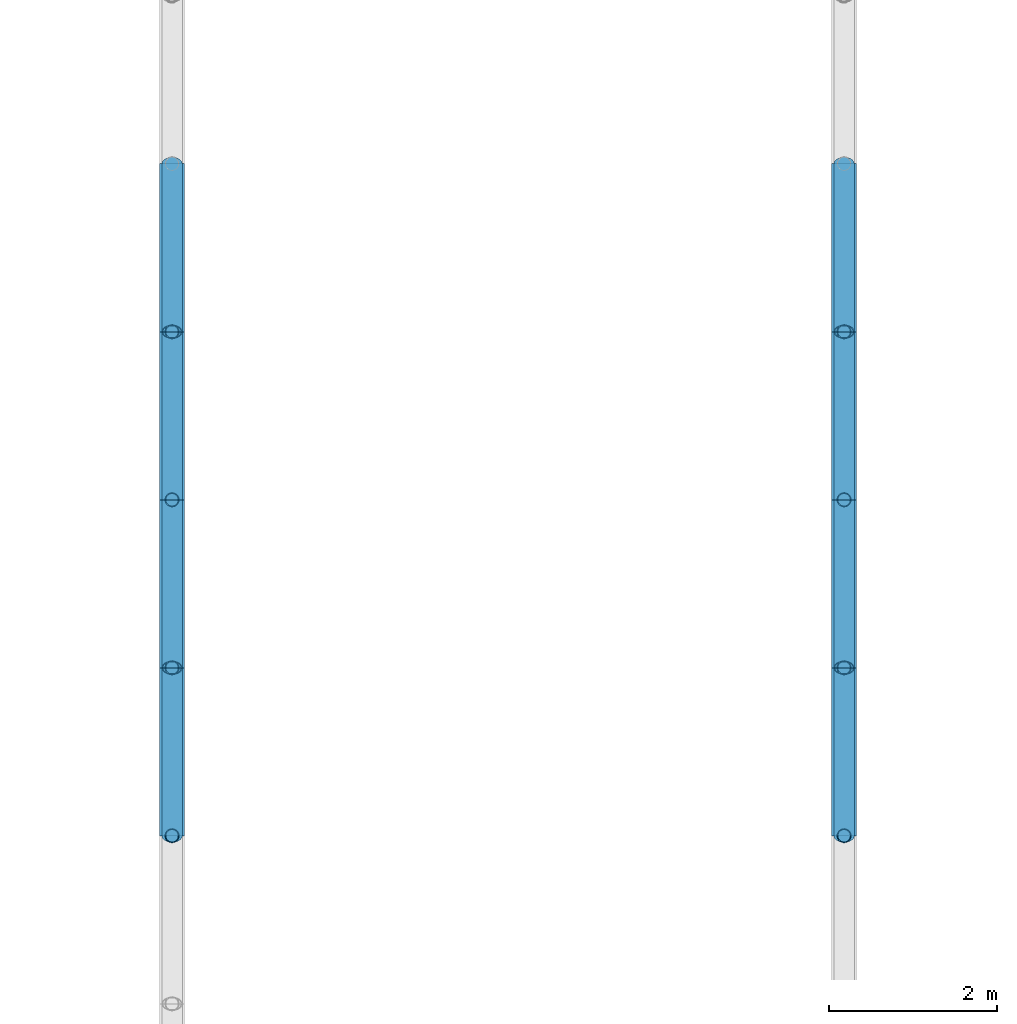
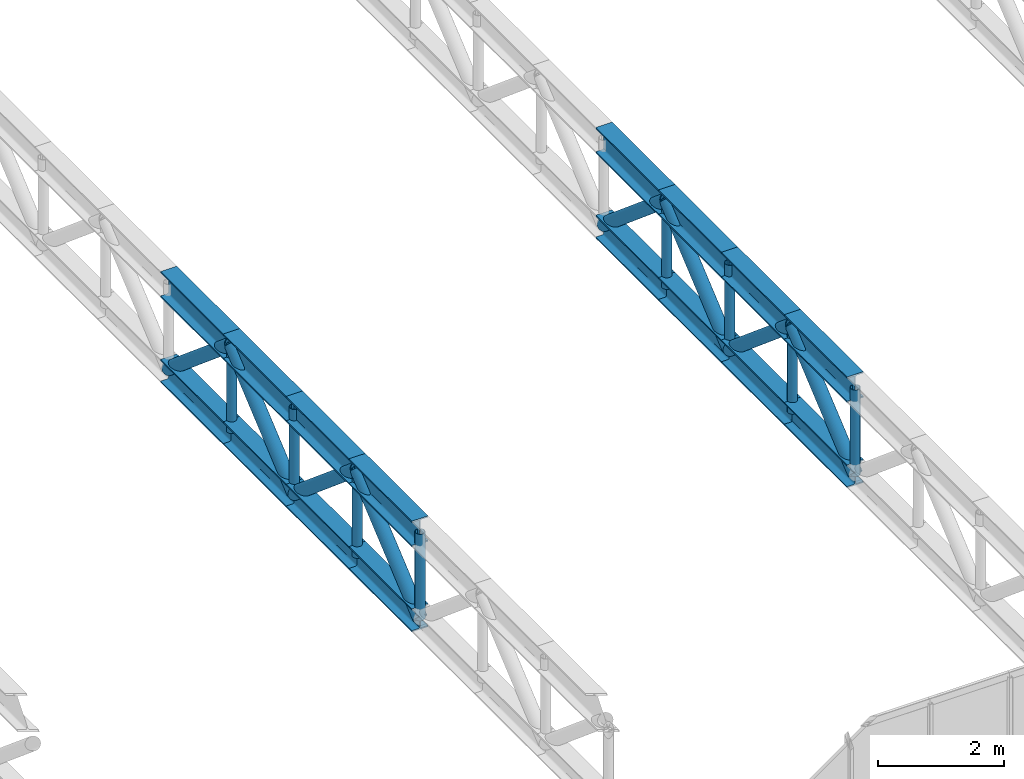
# One storey, part 80 of 143: 32 members.
"""IFC4 building model written with IfcOpenShell, lengths in metres."""

from ifc_helpers import new_model, si_unit, derived_unit, direction, frame, origin, origin_2d, place, context, subcontext, project, spatial, hollow_circle, i_section, extrude, material, material_profile, profile_set, type_object, element, save


model = new_model("IFC4")

# Units and contexts
model_context = context("Model", 3, precision=1e-05, world=origin(), true_north=direction((0.0, 1.0)))
body_context = subcontext(model_context, "Body", "Model", "MODEL_VIEW")
ifc_project = project(units=[si_unit("LENGTHUNIT", "METRE"), si_unit("AREAUNIT", "SQUARE_METRE"), si_unit("VOLUMEUNIT", "CUBIC_METRE"), si_unit("PLANEANGLEUNIT", "RADIAN"), si_unit("MASSUNIT", "GRAM", prefix="KILO"), derived_unit("THERMALTRANSMITTANCEUNIT", [(si_unit("POWERUNIT", "WATT"), 1), (si_unit("LENGTHUNIT", "METRE"), -2), (si_unit("THERMODYNAMICTEMPERATUREUNIT", "KELVIN"), -1)])], contexts=[model_context])

# Site, building, storey
site_placement = place(None, origin())
site = spatial("IfcSite", under=ifc_project, at=site_placement, CompositionType="ELEMENT")
building_placement = place(site_placement, origin())
building = spatial("IfcBuilding", under=site, at=building_placement, Name="Keldorne Ridge Multi-Sports Centre", CompositionType="ELEMENT")
storey_placement = place(building_placement, frame((0.0, 0.0, 4.800048828125)))
storey = spatial("IfcBuildingStorey", under=building, at=storey_placement, Name="L01", CompositionType="ELEMENT", Elevation=4.800048828125)

# Members
ifc_material = material(Name="Steel S355", Category="steel")
ifc_material_profile_1 = material_profile(ifc_material, i_section(OverallWidth=0.300048828125, OverallDepth=0.5, WebThickness=0.014404296875, FlangeThickness=0.028076171875, FilletRadius=0.027099609375, at=origin_2d()), Name="HEB 500")
ifc_profile_set_1 = profile_set([ifc_material_profile_1], Name="Steel S355")
member_type_1 = type_object("IfcMemberType", Name="MEM-TC-03", PredefinedType="CHORD", material=ifc_profile_set_1)
for number, where, z_axis, x_axis, name in (
    (1, (136.0, 14.0, 4.31005859375), (0.0, 1.0, 0.0), (-1.0, 0.0, 0.0), "Stacked Courts Warren TRUSS WT-L02-05 top chord 5"),
    (2, (136.0, 16.0, 4.31005859375), (0.0, 1.0, 0.0), (-1.0, 0.0, 0.0), "Stacked Courts Warren TRUSS WT-L02-05 top chord 6"),
    (3, (136.0, 18.0, 4.31005859375), (0.0, 1.0, 0.0), (-1.0, 0.0, 0.0), "Stacked Courts Warren TRUSS WT-L02-05 top chord 7"),
    (4, (136.0, 20.0, 4.31005859375), (0.0, 1.0, 0.0), (-1.0, 0.0, 0.0), "Stacked Courts Warren TRUSS WT-L02-05 top chord 8"),
    (5, (144.0, 14.0, 4.31005859375), (0.0, 1.0, 0.0), (-1.0, 0.0, 0.0), "Stacked Courts Warren TRUSS WT-L02-06 top chord 5"),
    (6, (144.0, 16.0, 4.31005859375), (0.0, 1.0, 0.0), (-1.0, 0.0, 0.0), "Stacked Courts Warren TRUSS WT-L02-06 top chord 6"),
    (7, (144.0, 18.0, 4.31005859375), (0.0, 1.0, 0.0), (-1.0, 0.0, 0.0), "Stacked Courts Warren TRUSS WT-L02-06 top chord 7"),
    (8, (144.0, 20.0, 4.31005859375), (0.0, 1.0, 0.0), (-1.0, 0.0, 0.0), "Stacked Courts Warren TRUSS WT-L02-06 top chord 8"),
):
    element("IfcMember", number, at=place(storey_placement, frame(where, z_axis=z_axis, x_axis=x_axis)), inside=storey, type_object=member_type_1, Name=name, PredefinedType="CHORD", context=body_context, shape_type="SweptSolid", body=[
        extrude(i_section(OverallWidth=0.300048828125, OverallDepth=0.5, WebThickness=0.014404296875, FlangeThickness=0.028076171875, FilletRadius=0.027099609375, at=origin_2d()), origin(), (0.0, 0.0, 1.0), 2.0),
    ])
ifc_material_profile_2 = material_profile(ifc_material, i_section(OverallWidth=0.300048828125, OverallDepth=0.449951171875, WebThickness=0.013916015625, FlangeThickness=0.02587890625, FilletRadius=0.027099609375, at=origin_2d()), Name="HEB 450")
ifc_profile_set_2 = profile_set([ifc_material_profile_2], Name="Steel S355")
member_type_2 = type_object("IfcMemberType", Name="MEM-TC-04", PredefinedType="CHORD", material=ifc_profile_set_2)
for number, where, z_axis, x_axis, name in (
    (9, (136.0, 14.0, 2.6298828125), (0.0, 1.0, 0.0), (-1.0, 0.0, 0.0), "Stacked Courts Warren TRUSS WT-L02-05 bottom chord 5"),
    (10, (136.0, 16.0, 2.6298828125), (0.0, 1.0, 0.0), (-1.0, 0.0, 0.0), "Stacked Courts Warren TRUSS WT-L02-05 bottom chord 6"),
    (11, (136.0, 18.0, 2.6298828125), (0.0, 1.0, 0.0), (-1.0, 0.0, 0.0), "Stacked Courts Warren TRUSS WT-L02-05 bottom chord 7"),
    (12, (136.0, 20.0, 2.6298828125), (0.0, 1.0, 0.0), (-1.0, 0.0, 0.0), "Stacked Courts Warren TRUSS WT-L02-05 bottom chord 8"),
    (13, (144.0, 14.0, 2.6298828125), (0.0, 1.0, 0.0), (-1.0, 0.0, 0.0), "Stacked Courts Warren TRUSS WT-L02-06 bottom chord 5"),
    (14, (144.0, 16.0, 2.6298828125), (0.0, 1.0, 0.0), (-1.0, 0.0, 0.0), "Stacked Courts Warren TRUSS WT-L02-06 bottom chord 6"),
    (15, (144.0, 18.0, 2.6298828125), (0.0, 1.0, 0.0), (-1.0, 0.0, 0.0), "Stacked Courts Warren TRUSS WT-L02-06 bottom chord 7"),
    (16, (144.0, 20.0, 2.6298828125), (0.0, 1.0, 0.0), (-1.0, 0.0, 0.0), "Stacked Courts Warren TRUSS WT-L02-06 bottom chord 8"),
):
    element("IfcMember", number, at=place(storey_placement, frame(where, z_axis=z_axis, x_axis=x_axis)), inside=storey, type_object=member_type_2, Name=name, PredefinedType="CHORD", context=body_context, shape_type="SweptSolid", body=[
        extrude(i_section(OverallWidth=0.300048828125, OverallDepth=0.449951171875, WebThickness=0.013916015625, FlangeThickness=0.02587890625, FilletRadius=0.027099609375, at=origin_2d()), origin(), (0.0, 0.0, 1.0), 2.0),
    ])
ifc_material_profile_3 = material_profile(ifc_material, hollow_circle(Radius=0.122314453125, WallThickness=0.012451171875, at=origin_2d()), Name="CHS 244.5x12.5")
ifc_profile_set_3 = profile_set([ifc_material_profile_3], Name="Steel S355")
member_type_3 = type_object("IfcMemberType", Name="MEM-TD-02", PredefinedType="BRACE", material=ifc_profile_set_3)
for number, where, z_axis, x_axis, name in (
    (17, (136.0, 14.0, 2.6298828125), (0.0, 0.765671721121, 0.643231541108), (-1.0, 0.0, 0.0), "Stacked Courts Warren TRUSS WT-L02-05 diagonal 5"),
    (18, (136.0, 16.0, 4.31005859375), (0.0, 0.765671721121, -0.643231541108), (-1.0, 0.0, 0.0), "Stacked Courts Warren TRUSS WT-L02-05 diagonal 6"),
    (19, (136.0, 18.0, 2.6298828125), (0.0, 0.765671721121, 0.643231541108), (-1.0, 0.0, 0.0), "Stacked Courts Warren TRUSS WT-L02-05 diagonal 7"),
    (20, (136.0, 20.0, 4.31005859375), (0.0, 0.765671721121, -0.643231541108), (-1.0, 0.0, 0.0), "Stacked Courts Warren TRUSS WT-L02-05 diagonal 8"),
    (21, (144.0, 14.0, 2.6298828125), (0.0, 0.765671721121, 0.643231541108), (-1.0, 0.0, 0.0), "Stacked Courts Warren TRUSS WT-L02-06 diagonal 5"),
    (22, (144.0, 16.0, 4.31005859375), (0.0, 0.765671721121, -0.643231541108), (-1.0, 0.0, 0.0), "Stacked Courts Warren TRUSS WT-L02-06 diagonal 6"),
    (23, (144.0, 18.0, 2.6298828125), (0.0, 0.765671721121, 0.643231541108), (-1.0, 0.0, 0.0), "Stacked Courts Warren TRUSS WT-L02-06 diagonal 7"),
    (24, (144.0, 20.0, 4.31005859375), (0.0, 0.765671721121, -0.643231541108), (-1.0, 0.0, 0.0), "Stacked Courts Warren TRUSS WT-L02-06 diagonal 8"),
):
    element("IfcMember", number, at=place(storey_placement, frame(where, z_axis=z_axis, x_axis=x_axis)), inside=storey, type_object=member_type_3, Name=name, PredefinedType="BRACE", context=body_context, shape_type="SweptSolid", body=[
        extrude(hollow_circle(Radius=0.122314453125, WallThickness=0.012451171875, at=origin_2d()), origin(), (0.0, 0.0, 1.0), 2.612060546875),
    ])
ifc_material_profile_4 = material_profile(ifc_material, hollow_circle(Radius=0.084228515625, WallThickness=0.010009765625, at=origin_2d()), Name="CHS 168.3x10")
ifc_profile_set_4 = profile_set([ifc_material_profile_4], Name="Steel S355")
member_type_4 = type_object("IfcMemberType", Name="MEM-TV-01", PredefinedType="STRUT", material=ifc_profile_set_4)
for number, where, z_axis, x_axis, name in (
    (25, (136.0, 14.0, 2.6298828125), (0.0, 0.0, 1.0), (1.0, 0.0, 0.0), "Stacked Courts Warren TRUSS WT-L02-05 post 5"),
    (26, (136.0, 16.0, 2.6298828125), (0.0, 0.0, 1.0), (1.0, 0.0, 0.0), "Stacked Courts Warren TRUSS WT-L02-05 post 6"),
    (27, (136.0, 18.0, 2.6298828125), (0.0, 0.0, 1.0), (1.0, 0.0, 0.0), "Stacked Courts Warren TRUSS WT-L02-05 post 7"),
    (28, (136.0, 20.0, 2.6298828125), (0.0, 0.0, 1.0), (1.0, 0.0, 0.0), "Stacked Courts Warren TRUSS WT-L02-05 post 8"),
    (29, (144.0, 14.0, 2.6298828125), (0.0, 0.0, 1.0), (1.0, 0.0, 0.0), "Stacked Courts Warren TRUSS WT-L02-06 post 5"),
    (30, (144.0, 16.0, 2.6298828125), (0.0, 0.0, 1.0), (1.0, 0.0, 0.0), "Stacked Courts Warren TRUSS WT-L02-06 post 6"),
    (31, (144.0, 18.0, 2.6298828125), (0.0, 0.0, 1.0), (1.0, 0.0, 0.0), "Stacked Courts Warren TRUSS WT-L02-06 post 7"),
    (32, (144.0, 20.0, 2.6298828125), (0.0, 0.0, 1.0), (1.0, 0.0, 0.0), "Stacked Courts Warren TRUSS WT-L02-06 post 8"),
):
    element("IfcMember", number, at=place(storey_placement, frame(where, z_axis=z_axis, x_axis=x_axis)), inside=storey, type_object=member_type_4, Name=name, PredefinedType="STRUT", context=body_context, shape_type="SweptSolid", body=[
        extrude(hollow_circle(Radius=0.084228515625, WallThickness=0.010009765625, at=origin_2d()), origin(), (0.0, 0.0, 1.0), 1.68017578125),
    ])

save(model, "model.ifc")
